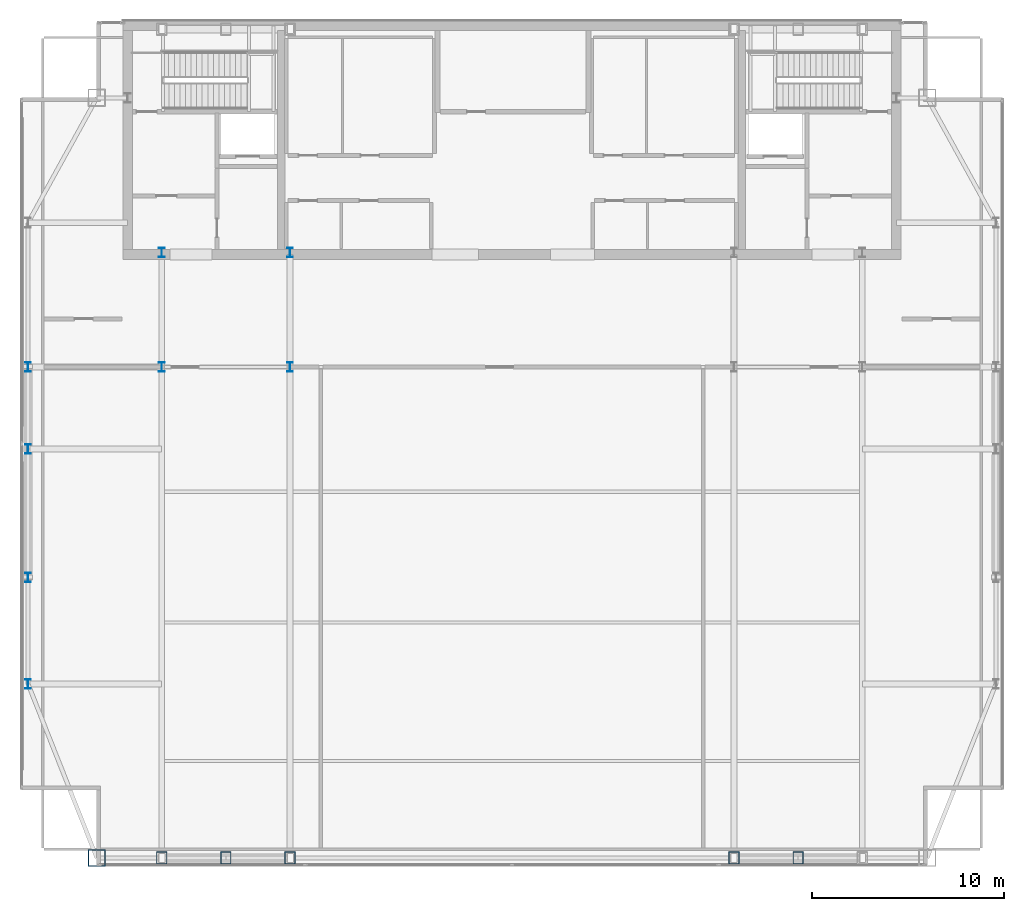
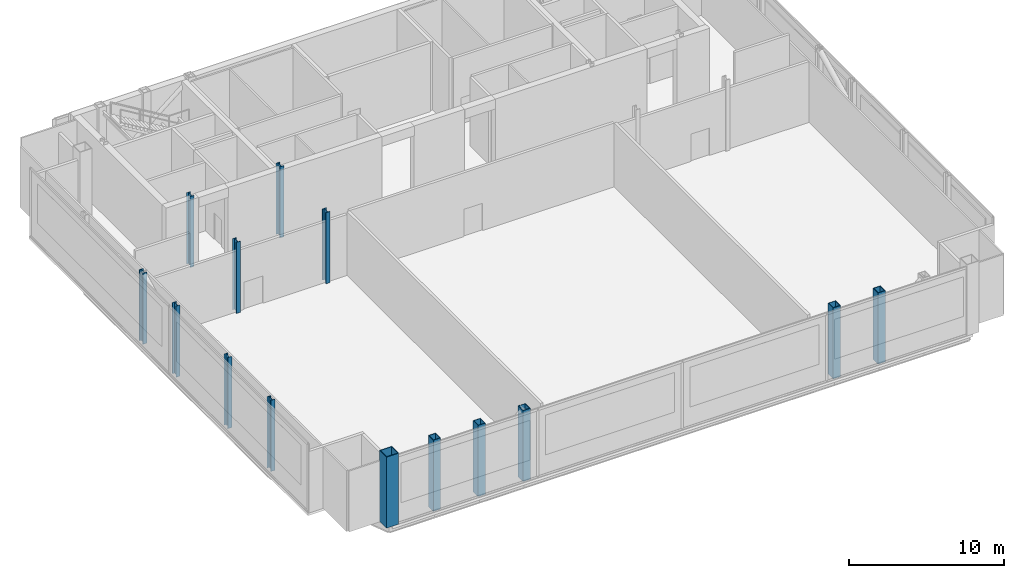
# One storey, part 1 of 22: 14 columns.
"""IFC4 building model written with IfcOpenShell, lengths in metres."""

import ifcopenshell
import ifcopenshell.guid

model = None  # the IFC model being written
_history = None  # IfcOwnerHistory: only IFC2X3 demands one
_inside = {}  # id of a spatial element -> (the spatial element, [elements in it])
_under = {}  # id of a project, library or spatial element -> (it, [spatial elements below it])
_declared = {}  # id of a project -> (the project, [libraries it declares])
_typed = {}  # id of a type object -> (the type object, [elements of that type])
_made_of = {}  # id of a material, layer set ... -> (it, [elements and type objects made of it])


def new_model(schema):
    """Start an empty IFC model of exactly this schema.

    Asked for "IFC4X3", IfcOpenShell would pick the latest addendum, in which some entities
    have other attributes; the version numbers below select the first issue.
    IFC2X3 requires an IfcOwnerHistory on every rooted entity: one is made here for all.
    """
    global model, _history
    if schema == "IFC4X3":
        model = ifcopenshell.file(schema_version=(4, 3, 0, 0))
    else:
        model = ifcopenshell.file(schema=schema)
    _inside.clear()
    _under.clear()
    _declared.clear()
    _typed.clear()
    _made_of.clear()
    _history = None
    if model.schema == "IFC2X3":
        org = make("IfcOrganization", Name="unknown")
        user = make(
            "IfcPersonAndOrganization",
            ThePerson=make("IfcPerson", FamilyName="unknown"),
            TheOrganization=org,
        )
        app = make(
            "IfcApplication",
            ApplicationDeveloper=org,
            Version="unknown",
            ApplicationFullName="unknown",
            ApplicationIdentifier="unknown",
        )
        _history = make(
            "IfcOwnerHistory",
            OwningUser=user,
            OwningApplication=app,
            ChangeAction="ADDED",
            CreationDate=0,
        )
    return model


def make(cls, **values):
    """One entity of the class cls with the attributes given. An attribute that is None is left unset."""
    return model.create_entity(
        cls, **{name: value for name, value in values.items() if value is not None}
    )


def rooted(cls, **values):
    """An entity with a GlobalId (a new one), such as an element, a storey or a relation."""
    return make(cls, GlobalId=ifcopenshell.guid.new(), OwnerHistory=_history, **values)


def si_unit(unit_type, name, prefix=None):
    """IfcSIUnit, for example si_unit("LENGTHUNIT", "METRE", prefix="MILLI")."""
    return make("IfcSIUnit", UnitType=unit_type, Prefix=prefix, Name=name)


def assignment(units):
    """IfcUnitAssignment: the units of a project."""
    return None if units is None else make("IfcUnitAssignment", Units=units)


def point(xyz):
    """IfcCartesianPoint."""
    return None if xyz is None else make("IfcCartesianPoint", Coordinates=xyz)


def direction(xyz):
    """IfcDirection."""
    return None if xyz is None else make("IfcDirection", DirectionRatios=xyz)


def frame(location, z_axis=None, x_axis=None):
    """IfcAxis2Placement3D, a coordinate frame: its origin and axes. An axis left out is left unset."""
    return make(
        "IfcAxis2Placement3D",
        Location=point(location),
        Axis=direction(z_axis),
        RefDirection=direction(x_axis),
    )


def frame_2d(location, x_axis=None):
    """IfcAxis2Placement2D, a coordinate frame in the plane: its origin and x axis."""
    return make(
        "IfcAxis2Placement2D", Location=point(location), RefDirection=direction(x_axis)
    )


def origin():
    """The frame at (0, 0, 0) with its axes left unset."""
    return frame((0.0, 0.0, 0.0))


def origin_2d():
    """The frame at (0, 0) in the plane with its x axis left unset."""
    return frame_2d((0.0, 0.0))


def place(relative_to, where):
    """IfcLocalPlacement: puts the frame where relative to a parent placement (None: the world)."""
    return make(
        "IfcLocalPlacement", PlacementRelTo=relative_to, RelativePlacement=where
    )


def context(
    kind, dimensions, precision=None, world=None, true_north=None, identifier=None
):
    """IfcGeometricRepresentationContext, for example the 3D "Model" context."""
    return make(
        "IfcGeometricRepresentationContext",
        ContextIdentifier=identifier,
        ContextType=kind,
        CoordinateSpaceDimension=dimensions,
        Precision=precision,
        WorldCoordinateSystem=world,
        TrueNorth=true_north,
    )


def subcontext(parent, identifier, kind, view, scale=None):
    """IfcGeometricRepresentationSubContext, for example "Body" below "Model"."""
    return make(
        "IfcGeometricRepresentationSubContext",
        ContextIdentifier=identifier,
        ContextType=kind,
        ParentContext=parent,
        TargetScale=scale,
        TargetView=view,
    )


def project(units=None, contexts=None):
    """IfcProject with its units and contexts."""
    return rooted(
        "IfcProject",
        Name="project",
        RepresentationContexts=contexts,
        UnitsInContext=assignment(units),
    )


def spatial(cls, under=None, at=None, **own):
    """A site, building, storey or space (cls), placed at a placement, below another one or the project."""
    s = rooted(cls, ObjectPlacement=at, **own)
    if under is not None:
        _under.setdefault(under.id(), (under, []))[1].append(s)
    return s


def profile(cls, at=None, kind="AREA", **sizes):
    """A parametric profile (cls). Its sizes go by their IFC names, for example OverallWidth=200.0."""
    return make(cls, ProfileType=kind, Position=at, **sizes)


def hollow_rectangle(**sizes):
    """IfcRectangleHollowProfileDef."""
    return profile("IfcRectangleHollowProfileDef", **sizes)


def i_section(**sizes):
    """IfcIShapeProfileDef."""
    return profile("IfcIShapeProfileDef", **sizes)


def extrude(swept, where, along, depth):
    """IfcExtrudedAreaSolid: the profile swept, set in the frame where, extruded along a direction by depth."""
    return make(
        "IfcExtrudedAreaSolid",
        SweptArea=swept,
        Position=where,
        ExtrudedDirection=direction(along),
        Depth=depth,
    )


def shape(context_of_items, identifier, shape_type, items):
    """IfcShapeRepresentation: the items that make up one representation, for example the "Body"."""
    return make(
        "IfcShapeRepresentation",
        ContextOfItems=context_of_items,
        RepresentationIdentifier=identifier,
        RepresentationType=shape_type,
        Items=items,
    )


def material(Name=None, Category=None):
    """IfcMaterial."""
    return make("IfcMaterial", Name=Name, Category=Category)


def material_profile(
    of_material, cross_section, Name=None, Category=None, Priority=None
):
    """IfcMaterialProfile: a cross section and its material."""
    return make(
        "IfcMaterialProfile",
        Name=Name,
        Material=of_material,
        Profile=cross_section,
        Priority=Priority,
        Category=Category,
    )


def profile_set(profiles, Name=None, composite=None):
    """IfcMaterialProfileSet."""
    return make(
        "IfcMaterialProfileSet",
        Name=Name,
        MaterialProfiles=profiles,
        CompositeProfile=composite,
    )


def made_of(thing, what):
    """Note that an element or type object is made of a material, layer set ...; save() writes the relation."""
    if what is not None:
        _made_of.setdefault(what.id(), (what, []))[1].append(thing)
    return thing


def type_object(cls, material=None, **own):
    """A type object (cls), such as IfcWallType, which elements share."""
    return made_of(rooted(cls, **own), material)


def element(
    cls,
    number,
    at=None,
    inside=None,
    cuts=None,
    type_object=None,
    material=None,
    context=None,
    identifier="Body",
    shape_type=None,
    held_by="IfcProductDefinitionShape",
    body=None,
    shapes=None,
    **own,
):
    """One element of the class cls, such as IfcWall. Its Tag is "e" and its number.

    at: its placement. inside: the storey or other place that contains it. cuts: it is an
    opening in that element (IfcRelVoidsElement). A single representation is given by context,
    identifier, shape_type and body (its items); several are given by shapes. held_by: the class
    of the entity that holds the representations. save() writes the other relations.
    """
    e = rooted(cls, Tag="e%d" % number, ObjectPlacement=at, **own)
    if body is not None:
        shapes = [shape(context, identifier, shape_type, body)]
    if shapes is not None:
        e.Representation = make(held_by, Representations=shapes)
    if inside is not None:
        _inside.setdefault(inside.id(), (inside, []))[1].append(e)
    if cuts is not None:
        rooted(
            "IfcRelVoidsElement", RelatingBuildingElement=cuts, RelatedOpeningElement=e
        )
    if type_object is not None:
        _typed.setdefault(type_object.id(), (type_object, []))[1].append(e)
    return made_of(e, material)


def aggregate(whole, parts):
    """IfcRelAggregates: a whole, such as a stair, and the parts it consists of."""
    return rooted("IfcRelAggregates", RelatingObject=whole, RelatedObjects=parts)


def save(model, path):
    """Write the relations noted so far, then the file.

    IfcRelAggregates (storeys below a building ...), IfcRelContainedInSpatialStructure (elements
    in a storey), IfcRelDefinesByType, IfcRelAssociatesMaterial and IfcRelDeclares: one each for
    every whole, place, type object, material and project.
    """
    for whole, parts in _under.values():
        aggregate(whole, parts)
    for where, things in _inside.values():
        rooted(
            "IfcRelContainedInSpatialStructure",
            RelatedElements=things,
            RelatingStructure=where,
        )
    for kind, things in _typed.values():
        rooted("IfcRelDefinesByType", RelatedObjects=things, RelatingType=kind)
    for what, things in _made_of.values():
        rooted("IfcRelAssociatesMaterial", RelatedObjects=things, RelatingMaterial=what)
    for by, libraries in _declared.values():
        rooted("IfcRelDeclares", RelatingContext=by, RelatedDefinitions=libraries)
    model.write(path)


model = new_model("IFC4")

# Units and contexts
model_context = context("Model", 3, precision=1e-05, world=origin(), true_north=direction((0.0, 1.0)))
body_context = subcontext(model_context, "Body", "Model", "MODEL_VIEW")
ifc_project = project(units=[si_unit("LENGTHUNIT", "METRE"), si_unit("AREAUNIT", "SQUARE_METRE"), si_unit("VOLUMEUNIT", "CUBIC_METRE"), si_unit("PLANEANGLEUNIT", "RADIAN"), si_unit("MASSUNIT", "GRAM", prefix="KILO")], contexts=[model_context])

# Site, building, storey
site_placement = place(None, origin())
site = spatial("IfcSite", under=ifc_project, at=site_placement, CompositionType="ELEMENT")
building_placement = place(site_placement, origin())
building = spatial("IfcBuilding", under=site, at=building_placement, Name="Khoronbel Lancet Exchange", CompositionType="ELEMENT")
storey_placement = place(building_placement, frame((0.0, 0.0, 361.800048828125)))
storey = spatial("IfcBuildingStorey", under=building, at=storey_placement, Name="L93", CompositionType="ELEMENT", Elevation=361.800048828125)

# Columns
ifc_material_1 = material(Name="Steel S355", Category="steel")
ifc_material_profile_1 = material_profile(ifc_material_1, i_section(OverallWidth=0.300048828125, OverallDepth=0.5, WebThickness=0.014404296875, FlangeThickness=0.028076171875, at=origin_2d()), Name="HEB 500")
ifc_profile_set_1 = profile_set([ifc_material_profile_1], Name="Steel S355")
column_type_1 = type_object("IfcColumnType", Name="COL-CRC1", PredefinedType="COLUMN", material=ifc_profile_set_1)
for number, where, z_axis, x_axis, name in (
    (1, (11.27001953125, 19.199951171875, 0.0), (0.0, 0.0, 1.0), (1.0, 0.0, 0.0), "CROWN FRAME column WC-1 L93"),
    (2, (11.27001953125, 24.75, 0.0), (0.0, 0.0, 1.0), (1.0, 0.0, 0.0), "CROWN FRAME column WC-2 L93"),
    (3, (11.27001953125, 31.425048828125, 0.0), (0.0, 0.0, 1.0), (1.0, 0.0, 0.0), "CROWN FRAME column WC-M L93"),
    (4, (11.27001953125, 35.699951171875, 0.0), (0.0, 0.0, 1.0), (1.0, 0.0, 0.0), "CROWN FRAME column WC-3 L93"),
    (5, (18.22509765625, 35.699951171875, 0.0), (0.0, 0.0, 1.0), (1.0, 0.0, 0.0), "CROWN FRAME spine column TC1 L93"),
    (6, (18.22509765625, 41.64990234375, 0.0), (0.0, 0.0, 1.0), (1.0, 0.0, 0.0), "Core-embedded steel column CTC1 L93"),
    (7, (24.89990234375, 35.699951171875, 0.0), (0.0, 0.0, 1.0), (1.0, 0.0, 0.0), "CROWN FRAME spine column TC2 L93"),
    (8, (24.89990234375, 41.64990234375, 0.0), (0.0, 0.0, 1.0), (1.0, 0.0, 0.0), "Core-embedded steel column CTC2 L93"),
):
    element("IfcColumn", number, at=place(storey_placement, frame(where, z_axis=z_axis, x_axis=x_axis)), inside=storey, type_object=column_type_1, Name=name, PredefinedType="COLUMN", context=body_context, shape_type="SweptSolid", body=[
        extrude(i_section(OverallWidth=0.300048828125, OverallDepth=0.5, WebThickness=0.014404296875, FlangeThickness=0.028076171875, at=origin_2d()), origin(), (0.0, 0.0, 1.0), 5.599853515625),
    ])
ifc_material_2 = material(Name="Steel S460", Category="steel")
ifc_material_profile_2 = material_profile(ifc_material_2, hollow_rectangle(XDim=0.550048828125, YDim=0.64990234375, WallThickness=0.0400390625, at=origin_2d()), Name="BOX 650x550x40")
ifc_profile_set_2 = profile_set([ifc_material_profile_2], Name="Steel S460")
column_type_2 = type_object("IfcColumnType", Name="COL-EC4", PredefinedType="COLUMN", material=ifc_profile_set_2)
for number, where, z_axis, x_axis, name in (
    (9, (18.22509765625, 10.14990234375, 0.0), (0.0, 0.0, 1.0), (1.0, 0.0, 0.0), "CROWN FRAME column SC-W1 L93"),
    (10, (21.5625, 10.14990234375, 0.0), (0.0, 0.0, 1.0), (1.0, 0.0, 0.0), "CROWN FRAME column SC-WM L93"),
    (11, (24.89990234375, 10.14990234375, 0.0), (0.0, 0.0, 1.0), (1.0, 0.0, 0.0), "CROWN FRAME column SC-W2 L93"),
    (12, (48.0, 10.14990234375, 0.0), (0.0, 0.0, 1.0), (1.0, 0.0, 0.0), "CROWN FRAME column SC-E1 L93"),
    (13, (51.33740234375, 10.14990234375, 0.0), (0.0, 0.0, 1.0), (1.0, 0.0, 0.0), "CROWN FRAME column SC-EM L93"),
):
    element("IfcColumn", number, at=place(storey_placement, frame(where, z_axis=z_axis, x_axis=x_axis)), inside=storey, type_object=column_type_2, Name=name, PredefinedType="COLUMN", context=body_context, shape_type="SweptSolid", body=[
        extrude(hollow_rectangle(XDim=0.550048828125, YDim=0.64990234375, WallThickness=0.0400390625, at=origin_2d()), origin(), (0.0, 0.0, 1.0), 5.599853515625),
    ])
ifc_material_profile_3 = material_profile(ifc_material_2, hollow_rectangle(XDim=0.89990234375, YDim=0.89990234375, WallThickness=0.050048828125, at=origin_2d()), Name="BOX 900x900x50")
ifc_profile_set_3 = profile_set([ifc_material_profile_3], Name="Steel S460")
column_type_3 = type_object("IfcColumnType", Name="COL-MC7", PredefinedType="COLUMN", material=ifc_profile_set_3)
column_placement = place(storey_placement, frame((14.85009765625, 10.14990234375, 0.0), z_axis=(0.0, 0.0, 1.0), x_axis=(1.0, 0.0, 0.0)))
element("IfcColumn", 14, at=column_placement, inside=storey, type_object=column_type_3, Name="CROWN FRAME column MC-SW L93", PredefinedType="COLUMN", context=body_context, shape_type="SweptSolid", body=[
    extrude(hollow_rectangle(XDim=0.89990234375, YDim=0.89990234375, WallThickness=0.050048828125, at=origin_2d()), origin(), (0.0, 0.0, 1.0), 5.599853515625),
])

save(model, "model.ifc")
